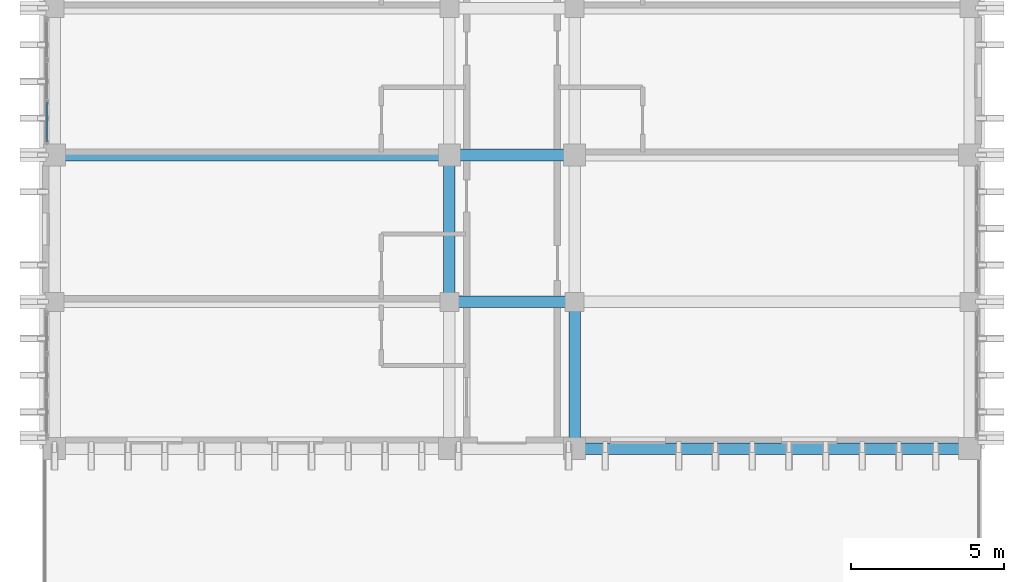
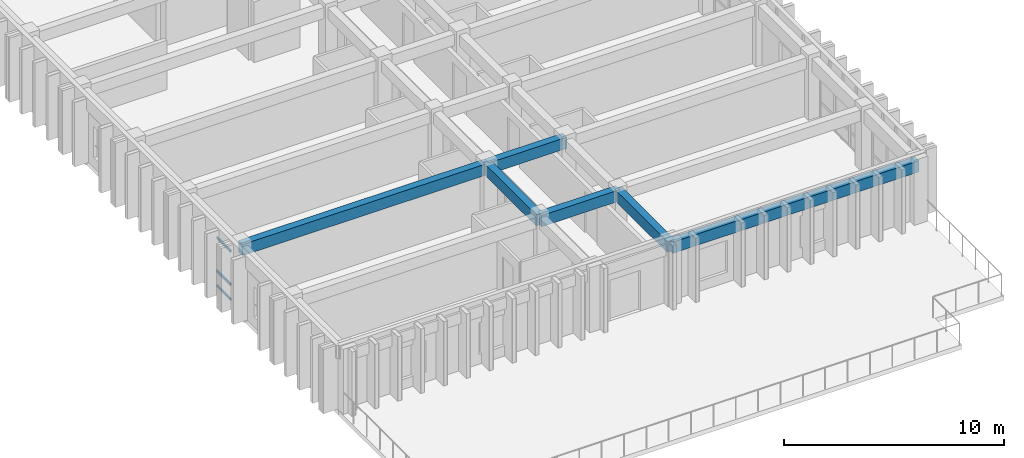
# One storey, part 5 of 59: 6 beams, 3 members, 1 element without a shape of its own.
"""IFC4 building model written with IfcOpenShell, lengths in metres."""

from ifc_helpers import new_model, si_unit, direction, frame, origin, origin_2d, place, context, subcontext, project, spatial, rectangle, hollow_rectangle, extrude, material, layer, layer_set, material_profile, profile_set, type_object, element, aggregate, save


model = new_model("IFC4")

# Units and contexts
model_context = context("Model", 3, precision=1e-05, world=origin(), true_north=direction((0.0, 1.0)))
body_context = subcontext(model_context, "Body", "Model", "MODEL_VIEW")
ifc_project = project(units=[si_unit("LENGTHUNIT", "METRE"), si_unit("AREAUNIT", "SQUARE_METRE"), si_unit("VOLUMEUNIT", "CUBIC_METRE"), si_unit("PLANEANGLEUNIT", "RADIAN"), si_unit("MASSUNIT", "GRAM", prefix="KILO")], contexts=[model_context])

# Site, building, storey
site_placement = place(None, origin())
site = spatial("IfcSite", under=ifc_project, at=site_placement, CompositionType="ELEMENT")
building_placement = place(site_placement, origin())
building = spatial("IfcBuilding", under=site, at=building_placement, Name="Nakhvara Creek Congress Hotel", CompositionType="ELEMENT")
storey_placement = place(building_placement, frame((0.0, 0.0, 31.800048828125)))
storey = spatial("IfcBuildingStorey", under=building, at=storey_placement, Name="L07", CompositionType="ELEMENT", Elevation=31.800048828125)

# Beams
ifc_material_1 = material(Name="Concrete C40/50", Category="concrete")
ifc_material_profile_1 = material_profile(ifc_material_1, rectangle(XDim=0.3798828125, YDim=0.6201171875, at=origin_2d()), Name="RC-BM 380x620", Category="LoadBearing")
ifc_profile_set_1 = profile_set([ifc_material_profile_1], Name="Concrete C40/50")
beam_type = type_object("IfcBeamType", Name="BM-RC-380X620", PredefinedType="BEAM", material=ifc_profile_set_1)
beam_1_placement = place(storey_placement, frame((149.449951171875, 57.60009765625, 3.050048828125), z_axis=(1.0, 0.0, 0.0), x_axis=(0.0, 1.0, 0.0)))
element("IfcBeam", 1, at=beam_1_placement, inside=storey, type_object=beam_type, Name="Beam B10-L07-2320", PredefinedType="BEAM", context=body_context, shape_type="SweptSolid", body=[
    extrude(rectangle(XDim=0.3798828125, YDim=0.6201171875, at=origin_2d()), origin(), (0.0, 0.0, 1.0), 12.900146484375),
])
beam_2_placement = place(storey_placement, frame((162.35009765625, 57.60009765625, 3.050048828125), z_axis=(1.0, 0.0, 0.0), x_axis=(0.0, 1.0, 0.0)))
element("IfcBeam", 2, at=beam_2_placement, inside=storey, type_object=beam_type, Name="Beam B10-L07-2343", PredefinedType="BEAM", context=body_context, shape_type="SweptSolid", body=[
    extrude(rectangle(XDim=0.3798828125, YDim=0.6201171875, at=origin_2d()), origin(), (0.0, 0.0, 1.0), 4.099853515625),
])
beam_3_placement = place(storey_placement, frame((162.35009765625, 52.800048828125, 3.050048828125), z_axis=(0.0, 1.0, 0.0), x_axis=(-1.0, 0.0, 0.0)))
element("IfcBeam", 3, at=beam_3_placement, inside=storey, type_object=beam_type, Name="Beam B10-L07-2344", PredefinedType="BEAM", context=body_context, shape_type="SweptSolid", body=[
    extrude(rectangle(XDim=0.3798828125, YDim=0.6201171875, at=origin_2d()), origin(), (0.0, 0.0, 1.0), 4.800048828125),
])
beam_4_placement = place(storey_placement, frame((166.449951171875, 48.0, 3.050048828125), z_axis=(1.0, 0.0, 0.0), x_axis=(0.0, 1.0, 0.0)))
element("IfcBeam", 4, at=beam_4_placement, inside=storey, type_object=beam_type, Name="Beam B10-L07-2366", PredefinedType="BEAM", context=body_context, shape_type="SweptSolid", body=[
    extrude(rectangle(XDim=0.3798828125, YDim=0.6201171875, at=origin_2d()), origin(), (0.0, 0.0, 1.0), 12.900146484375),
])
beam_5_placement = place(storey_placement, frame((166.449951171875, 48.0, 3.050048828125), z_axis=(0.0, 1.0, 0.0), x_axis=(-1.0, 0.0, 0.0)))
element("IfcBeam", 5, at=beam_5_placement, inside=storey, type_object=beam_type, Name="Beam B10-L07-2367", PredefinedType="BEAM", context=body_context, shape_type="SweptSolid", body=[
    extrude(rectangle(XDim=0.3798828125, YDim=0.6201171875, at=origin_2d()), origin(), (0.0, 0.0, 1.0), 4.800048828125),
])
beam_6_placement = place(storey_placement, frame((162.35009765625, 52.800048828125, 3.050048828125), z_axis=(1.0, 0.0, 0.0), x_axis=(0.0, 1.0, 0.0)))
element("IfcBeam", 6, at=beam_6_placement, inside=storey, type_object=beam_type, Name="Beam B10-L07-2413", PredefinedType="BEAM", context=body_context, shape_type="SweptSolid", body=[
    extrude(rectangle(XDim=0.3798828125, YDim=0.6201171875, at=origin_2d()), origin(), (0.0, 0.0, 1.0), 4.099853515625),
])

# Curtain wall, members
ifc_material_2 = material(Name="Bronze-anodised aluminium AW-6063-T6 and double-silver low-E glass", Category="aluminium")
ifc_layer = layer(ifc_material_2, 0.199951171875)
ifc_layer_set = layer_set([ifc_layer], Name="Bronze-anodised aluminium AW-6063-T6 and double-silver low-E glass")
curtain_wall_type = type_object("IfcCurtainWallType", Name="CW-HTL-UNIT", PredefinedType="USERDEFINED", material=ifc_layer_set)
curtain_wall_placement = place(storey_placement, origin())
curtain_wall = element("IfcCurtainWall", 7, at=curtain_wall_placement, inside=storey, type_object=curtain_wall_type, Name="Curtain Wall CW256", ObjectType="UNITISED", PredefinedType="USERDEFINED")
ifc_material_3 = material(Name="Bronze-anodised aluminium AW-6063-T6", Category="aluminium")
ifc_material_profile_2 = material_profile(ifc_material_3, hollow_rectangle(XDim=0.06494140625, YDim=0.1201171875, WallThickness=0.00390625, at=origin_2d()), Name="ALU-TRAN 65x120x4", Category="LoadBearing")
ifc_profile_set_2 = profile_set([ifc_material_profile_2], Name="Bronze-anodised aluminium AW-6063-T6")
member_type = type_object("IfcMemberType", Name="CW-TRAN-120", PredefinedType="USERDEFINED", material=ifc_profile_set_2)
member_1_placement = place(storey_placement, frame((149.199951171875, 58.0400390625, 0.032470703125), z_axis=(0.0, 1.0, 0.0), x_axis=(-1.0, 0.0, 0.0)))
member_1 = element("IfcMember", 8, at=member_1_placement, type_object=member_type, Name="CW256 transom 1.1", ObjectType="TRANSOM", PredefinedType="USERDEFINED", context=body_context, shape_type="SweptSolid", body=[
    extrude(hollow_rectangle(XDim=0.06494140625, YDim=0.1201171875, WallThickness=0.00390625, at=origin_2d()), origin(), (0.0, 0.0, 1.0), 1.26904296875),
])
member_2_placement = place(storey_placement, frame((149.199951171875, 58.0400390625, 0.849853515625), z_axis=(0.0, 1.0, 0.0), x_axis=(-1.0, 0.0, 0.0)))
member_2 = element("IfcMember", 9, at=member_2_placement, type_object=member_type, Name="CW256 transom 1.2", ObjectType="TRANSOM", PredefinedType="USERDEFINED", context=body_context, shape_type="SweptSolid", body=[
    extrude(hollow_rectangle(XDim=0.06494140625, YDim=0.1201171875, WallThickness=0.00390625, at=origin_2d()), origin(), (0.0, 0.0, 1.0), 1.26904296875),
])
member_3_placement = place(storey_placement, frame((149.199951171875, 58.0400390625, 2.699462890625), z_axis=(0.0, 1.0, 0.0), x_axis=(-1.0, 0.0, 0.0)))
member_3 = element("IfcMember", 10, at=member_3_placement, type_object=member_type, Name="CW256 transom 1.3", ObjectType="TRANSOM", PredefinedType="USERDEFINED", context=body_context, shape_type="SweptSolid", body=[
    extrude(hollow_rectangle(XDim=0.06494140625, YDim=0.1201171875, WallThickness=0.00390625, at=origin_2d()), origin(), (0.0, 0.0, 1.0), 1.26904296875),
])
aggregate(curtain_wall, [member_1, member_2, member_3])

save(model, "model.ifc")
